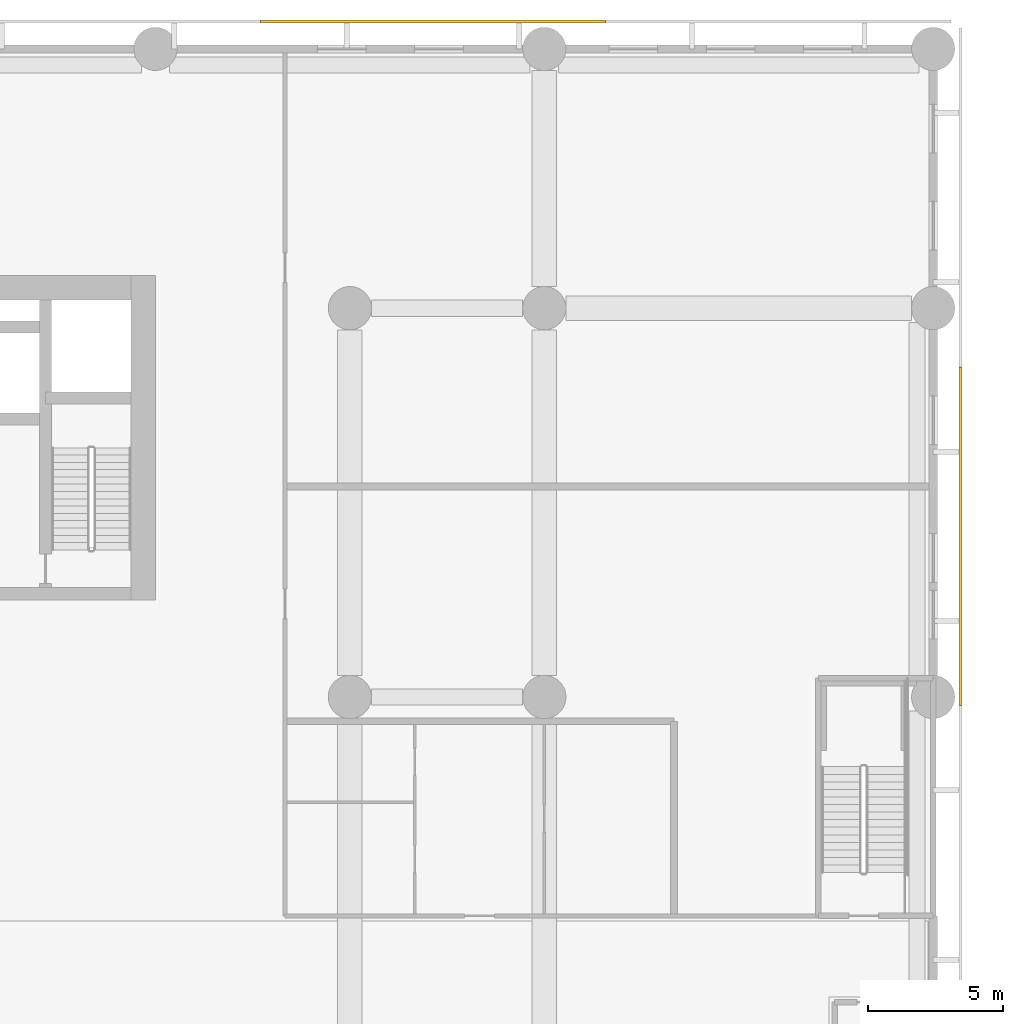
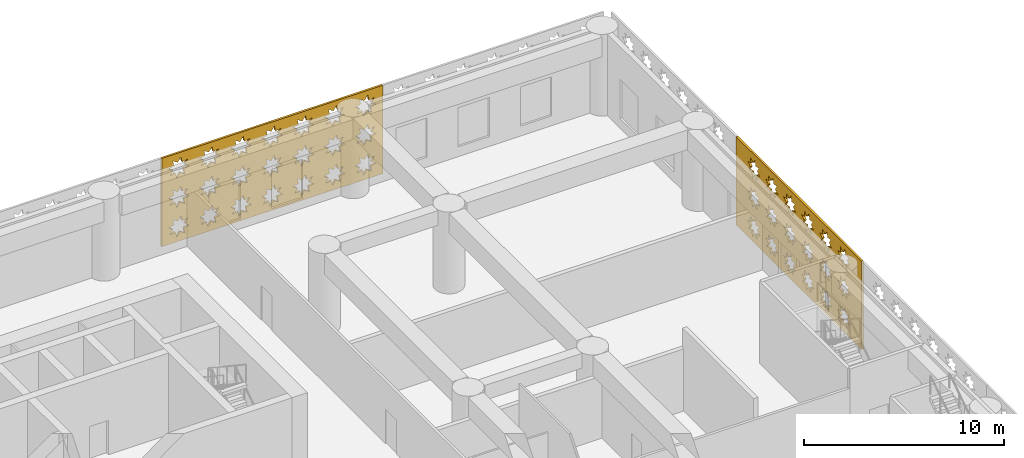
# One storey, part 29 of 30: 2 coverings.
"""IFC4 building model written with IfcOpenShell, lengths in metres."""

import ifcopenshell
import ifcopenshell.guid

model = None  # the IFC model being written
_history = None  # IfcOwnerHistory: only IFC2X3 demands one
_inside = {}  # id of a spatial element -> (the spatial element, [elements in it])
_under = {}  # id of a project, library or spatial element -> (it, [spatial elements below it])
_declared = {}  # id of a project -> (the project, [libraries it declares])
_typed = {}  # id of a type object -> (the type object, [elements of that type])
_made_of = {}  # id of a material, layer set ... -> (it, [elements and type objects made of it])


def new_model(schema):
    """Start an empty IFC model of exactly this schema.

    Asked for "IFC4X3", IfcOpenShell would pick the latest addendum, in which some entities
    have other attributes; the version numbers below select the first issue.
    IFC2X3 requires an IfcOwnerHistory on every rooted entity: one is made here for all.
    """
    global model, _history
    if schema == "IFC4X3":
        model = ifcopenshell.file(schema_version=(4, 3, 0, 0))
    else:
        model = ifcopenshell.file(schema=schema)
    _inside.clear()
    _under.clear()
    _declared.clear()
    _typed.clear()
    _made_of.clear()
    _history = None
    if model.schema == "IFC2X3":
        org = make("IfcOrganization", Name="unknown")
        user = make(
            "IfcPersonAndOrganization",
            ThePerson=make("IfcPerson", FamilyName="unknown"),
            TheOrganization=org,
        )
        app = make(
            "IfcApplication",
            ApplicationDeveloper=org,
            Version="unknown",
            ApplicationFullName="unknown",
            ApplicationIdentifier="unknown",
        )
        _history = make(
            "IfcOwnerHistory",
            OwningUser=user,
            OwningApplication=app,
            ChangeAction="ADDED",
            CreationDate=0,
        )
    return model


def make(cls, **values):
    """One entity of the class cls with the attributes given. An attribute that is None is left unset."""
    return model.create_entity(
        cls, **{name: value for name, value in values.items() if value is not None}
    )


def rooted(cls, **values):
    """An entity with a GlobalId (a new one), such as an element, a storey or a relation."""
    return make(cls, GlobalId=ifcopenshell.guid.new(), OwnerHistory=_history, **values)


def si_unit(unit_type, name, prefix=None):
    """IfcSIUnit, for example si_unit("LENGTHUNIT", "METRE", prefix="MILLI")."""
    return make("IfcSIUnit", UnitType=unit_type, Prefix=prefix, Name=name)


def assignment(units):
    """IfcUnitAssignment: the units of a project."""
    return None if units is None else make("IfcUnitAssignment", Units=units)


def point(xyz):
    """IfcCartesianPoint."""
    return None if xyz is None else make("IfcCartesianPoint", Coordinates=xyz)


def direction(xyz):
    """IfcDirection."""
    return None if xyz is None else make("IfcDirection", DirectionRatios=xyz)


def frame(location, z_axis=None, x_axis=None):
    """IfcAxis2Placement3D, a coordinate frame: its origin and axes. An axis left out is left unset."""
    return make(
        "IfcAxis2Placement3D",
        Location=point(location),
        Axis=direction(z_axis),
        RefDirection=direction(x_axis),
    )


def origin():
    """The frame at (0, 0, 0) with its axes left unset."""
    return frame((0.0, 0.0, 0.0))


def place(relative_to, where):
    """IfcLocalPlacement: puts the frame where relative to a parent placement (None: the world)."""
    return make(
        "IfcLocalPlacement", PlacementRelTo=relative_to, RelativePlacement=where
    )


def context(
    kind, dimensions, precision=None, world=None, true_north=None, identifier=None
):
    """IfcGeometricRepresentationContext, for example the 3D "Model" context."""
    return make(
        "IfcGeometricRepresentationContext",
        ContextIdentifier=identifier,
        ContextType=kind,
        CoordinateSpaceDimension=dimensions,
        Precision=precision,
        WorldCoordinateSystem=world,
        TrueNorth=true_north,
    )


def subcontext(parent, identifier, kind, view, scale=None):
    """IfcGeometricRepresentationSubContext, for example "Body" below "Model"."""
    return make(
        "IfcGeometricRepresentationSubContext",
        ContextIdentifier=identifier,
        ContextType=kind,
        ParentContext=parent,
        TargetScale=scale,
        TargetView=view,
    )


def project(units=None, contexts=None):
    """IfcProject with its units and contexts."""
    return rooted(
        "IfcProject",
        Name="project",
        RepresentationContexts=contexts,
        UnitsInContext=assignment(units),
    )


def spatial(cls, under=None, at=None, **own):
    """A site, building, storey or space (cls), placed at a placement, below another one or the project."""
    s = rooted(cls, ObjectPlacement=at, **own)
    if under is not None:
        _under.setdefault(under.id(), (under, []))[1].append(s)
    return s


def polyline(points):
    """IfcPolyline through the points."""
    return make("IfcPolyline", Points=[point(p) for p in points])


def outline(outer, holes=None, kind="AREA"):
    """IfcArbitraryClosedProfileDef: a profile drawn as a closed curve; with holes, ...WithVoids."""
    if holes is None:
        return make("IfcArbitraryClosedProfileDef", ProfileType=kind, OuterCurve=outer)
    return make(
        "IfcArbitraryProfileDefWithVoids",
        ProfileType=kind,
        OuterCurve=outer,
        InnerCurves=holes,
    )


def extrude(swept, where, along, depth):
    """IfcExtrudedAreaSolid: the profile swept, set in the frame where, extruded along a direction by depth."""
    return make(
        "IfcExtrudedAreaSolid",
        SweptArea=swept,
        Position=where,
        ExtrudedDirection=direction(along),
        Depth=depth,
    )


def shape(context_of_items, identifier, shape_type, items):
    """IfcShapeRepresentation: the items that make up one representation, for example the "Body"."""
    return make(
        "IfcShapeRepresentation",
        ContextOfItems=context_of_items,
        RepresentationIdentifier=identifier,
        RepresentationType=shape_type,
        Items=items,
    )


def material(Name=None, Category=None):
    """IfcMaterial."""
    return make("IfcMaterial", Name=Name, Category=Category)


def layer(
    of_material, thickness, ventilated=None, Name=None, Category=None, Priority=None
):
    """IfcMaterialLayer: one layer of a wall or slab, of a material (None: an air gap)."""
    return make(
        "IfcMaterialLayer",
        Material=of_material,
        LayerThickness=thickness,
        IsVentilated=ventilated,
        Name=Name,
        Category=Category,
        Priority=Priority,
    )


def layer_set(layers, Name=None):
    """IfcMaterialLayerSet."""
    return make("IfcMaterialLayerSet", MaterialLayers=layers, LayerSetName=Name)


def made_of(thing, what):
    """Note that an element or type object is made of a material, layer set ...; save() writes the relation."""
    if what is not None:
        _made_of.setdefault(what.id(), (what, []))[1].append(thing)
    return thing


def type_object(cls, material=None, **own):
    """A type object (cls), such as IfcWallType, which elements share."""
    return made_of(rooted(cls, **own), material)


def element(
    cls,
    number,
    at=None,
    inside=None,
    cuts=None,
    type_object=None,
    material=None,
    context=None,
    identifier="Body",
    shape_type=None,
    held_by="IfcProductDefinitionShape",
    body=None,
    shapes=None,
    **own,
):
    """One element of the class cls, such as IfcWall. Its Tag is "e" and its number.

    at: its placement. inside: the storey or other place that contains it. cuts: it is an
    opening in that element (IfcRelVoidsElement). A single representation is given by context,
    identifier, shape_type and body (its items); several are given by shapes. held_by: the class
    of the entity that holds the representations. save() writes the other relations.
    """
    e = rooted(cls, Tag="e%d" % number, ObjectPlacement=at, **own)
    if body is not None:
        shapes = [shape(context, identifier, shape_type, body)]
    if shapes is not None:
        e.Representation = make(held_by, Representations=shapes)
    if inside is not None:
        _inside.setdefault(inside.id(), (inside, []))[1].append(e)
    if cuts is not None:
        rooted(
            "IfcRelVoidsElement", RelatingBuildingElement=cuts, RelatedOpeningElement=e
        )
    if type_object is not None:
        _typed.setdefault(type_object.id(), (type_object, []))[1].append(e)
    return made_of(e, material)


def aggregate(whole, parts):
    """IfcRelAggregates: a whole, such as a stair, and the parts it consists of."""
    return rooted("IfcRelAggregates", RelatingObject=whole, RelatedObjects=parts)


def save(model, path):
    """Write the relations noted so far, then the file.

    IfcRelAggregates (storeys below a building ...), IfcRelContainedInSpatialStructure (elements
    in a storey), IfcRelDefinesByType, IfcRelAssociatesMaterial and IfcRelDeclares: one each for
    every whole, place, type object, material and project.
    """
    for whole, parts in _under.values():
        aggregate(whole, parts)
    for where, things in _inside.values():
        rooted(
            "IfcRelContainedInSpatialStructure",
            RelatedElements=things,
            RelatingStructure=where,
        )
    for kind, things in _typed.values():
        rooted("IfcRelDefinesByType", RelatedObjects=things, RelatingType=kind)
    for what, things in _made_of.values():
        rooted("IfcRelAssociatesMaterial", RelatedObjects=things, RelatingMaterial=what)
    for by, libraries in _declared.values():
        rooted("IfcRelDeclares", RelatingContext=by, RelatedDefinitions=libraries)
    model.write(path)


model = new_model("IFC4")

# Units and contexts
model_context = context("Model", 3, precision=1e-05, world=origin(), true_north=direction((0.0, 1.0)))
body_context = subcontext(model_context, "Body", "Model", "MODEL_VIEW")
ifc_project = project(units=[si_unit("LENGTHUNIT", "METRE"), si_unit("AREAUNIT", "SQUARE_METRE"), si_unit("VOLUMEUNIT", "CUBIC_METRE"), si_unit("PLANEANGLEUNIT", "RADIAN"), si_unit("MASSUNIT", "GRAM", prefix="KILO")], contexts=[model_context])

# Site, building, storey
site_placement = place(None, origin())
site = spatial("IfcSite", under=ifc_project, at=site_placement, CompositionType="ELEMENT")
building_placement = place(site_placement, origin())
building = spatial("IfcBuilding", under=site, at=building_placement, Name="Saffron Iwan Residences", CompositionType="ELEMENT")
storey_placement = place(building_placement, frame((0.0, 0.0, 7.800048828125)))
storey = spatial("IfcBuildingStorey", under=building, at=storey_placement, Name="L01", CompositionType="ELEMENT", Elevation=7.800048828125)

# Coverings
ifc_material = material(Name="Terracotta screen, precast concrete C40/50", Category="masonry")
ifc_layer = layer(ifc_material, 0.1201171875)
ifc_layer_set = layer_set([ifc_layer], Name="Terracotta screen, precast concrete C40/50")
covering_type = type_object("IfcCoveringType", Name="PODIUM SCREEN GIRIH", PredefinedType="CLADDING", material=ifc_layer_set)
covering_1_placement = place(storey_placement, frame((101.75, 62.07861328125, -0.400146484375), z_axis=(1.0, 0.0, 0.0), x_axis=(0.0, 1.0, 0.0)))
element("IfcCovering", 1, at=covering_1_placement, inside=storey, type_object=covering_type, Name="SCREEN girih terracotta L01 F1.5", PredefinedType="CLADDING", context=body_context, shape_type="SweptSolid", body=[
    extrude(outline(polyline([(0.0, 0.0), (12.545654296875, 0.0), (12.545654296875, 5.39990234375), (0.0, 5.39990234375), (0.0, 0.0)]), holes=[polyline([(2.380859375, 1.02099609375), (2.0556640625, 1.0888671875), (2.1171875, 1.41552734375), (1.839111328125, 1.2333984375), (1.65185546875, 1.508056640625), (1.583984375, 1.1826171875), (1.25732421875, 1.244384765625), (1.439453125, 0.96630859375), (1.164794921875, 0.779052734375), (1.490234375, 0.711181640625), (1.428466796875, 0.384521484375), (1.70654296875, 0.56640625), (1.893798828125, 0.2919921875), (1.9619140625, 0.6171875), (2.288330078125, 0.555419921875), (2.106201171875, 0.833740234375), (2.380859375, 1.02099609375)]), polyline([(2.380859375, 2.821044921875), (2.0556640625, 2.888916015625), (2.1171875, 3.215576171875), (1.839111328125, 3.033447265625), (1.65185546875, 3.30810546875), (1.583984375, 2.982666015625), (1.25732421875, 3.04443359375), (1.439453125, 2.766357421875), (1.164794921875, 2.5791015625), (1.490234375, 2.510986328125), (1.428466796875, 2.1845703125), (1.70654296875, 2.366455078125), (1.893798828125, 2.091796875), (1.9619140625, 2.417236328125), (2.288330078125, 2.35546875), (2.106201171875, 2.6337890625), (2.380859375, 2.821044921875)]), polyline([(2.380859375, 4.62109375), (2.0556640625, 4.68896484375), (2.1171875, 5.015380859375), (1.839111328125, 4.83349609375), (1.65185546875, 5.108154296875), (1.583984375, 4.78271484375), (1.25732421875, 4.844482421875), (1.439453125, 4.56640625), (1.164794921875, 4.37890625), (1.490234375, 4.31103515625), (1.428466796875, 3.984619140625), (1.70654296875, 4.16650390625), (1.893798828125, 3.891845703125), (1.9619140625, 4.21728515625), (2.288330078125, 4.155517578125), (2.106201171875, 4.43359375), (2.380859375, 4.62109375)]), polyline([(4.180908203125, 1.02099609375), (3.855712890625, 1.0888671875), (3.917236328125, 1.41552734375), (3.63916015625, 1.2333984375), (3.451904296875, 1.508056640625), (3.384033203125, 1.1826171875), (3.057373046875, 1.244384765625), (3.239501953125, 0.96630859375), (2.96484375, 0.779052734375), (3.290283203125, 0.711181640625), (3.228515625, 0.384521484375), (3.506591796875, 0.56640625), (3.69384765625, 0.2919921875), (3.76171875, 0.6171875), (4.08837890625, 0.555419921875), (3.90625, 0.833740234375), (4.180908203125, 1.02099609375)]), polyline([(4.180908203125, 2.821044921875), (3.855712890625, 2.888916015625), (3.917236328125, 3.215576171875), (3.63916015625, 3.033447265625), (3.451904296875, 3.30810546875), (3.384033203125, 2.982666015625), (3.057373046875, 3.04443359375), (3.239501953125, 2.766357421875), (2.96484375, 2.5791015625), (3.290283203125, 2.510986328125), (3.228515625, 2.1845703125), (3.506591796875, 2.366455078125), (3.69384765625, 2.091796875), (3.76171875, 2.417236328125), (4.08837890625, 2.35546875), (3.90625, 2.6337890625), (4.180908203125, 2.821044921875)]), polyline([(4.180908203125, 4.62109375), (3.855712890625, 4.68896484375), (3.917236328125, 5.015380859375), (3.63916015625, 4.83349609375), (3.451904296875, 5.108154296875), (3.384033203125, 4.78271484375), (3.057373046875, 4.844482421875), (3.239501953125, 4.56640625), (2.96484375, 4.37890625), (3.290283203125, 4.31103515625), (3.228515625, 3.984619140625), (3.506591796875, 4.16650390625), (3.69384765625, 3.891845703125), (3.76171875, 4.21728515625), (4.08837890625, 4.155517578125), (3.90625, 4.43359375), (4.180908203125, 4.62109375)]), polyline([(5.98095703125, 1.02099609375), (5.655517578125, 1.0888671875), (5.71728515625, 1.41552734375), (5.439208984375, 1.2333984375), (5.251953125, 1.508056640625), (5.18408203125, 1.1826171875), (4.857421875, 1.244384765625), (5.039306640625, 0.96630859375), (4.764892578125, 0.779052734375), (5.090087890625, 0.711181640625), (5.0283203125, 0.384521484375), (5.306396484375, 0.56640625), (5.493896484375, 0.2919921875), (5.561767578125, 0.6171875), (5.888427734375, 0.555419921875), (5.706298828125, 0.833740234375), (5.98095703125, 1.02099609375)]), polyline([(5.98095703125, 2.821044921875), (5.655517578125, 2.888916015625), (5.71728515625, 3.215576171875), (5.439208984375, 3.033447265625), (5.251953125, 3.30810546875), (5.18408203125, 2.982666015625), (4.857421875, 3.04443359375), (5.039306640625, 2.766357421875), (4.764892578125, 2.5791015625), (5.090087890625, 2.510986328125), (5.0283203125, 2.1845703125), (5.306396484375, 2.366455078125), (5.493896484375, 2.091796875), (5.561767578125, 2.417236328125), (5.888427734375, 2.35546875), (5.706298828125, 2.6337890625), (5.98095703125, 2.821044921875)]), polyline([(5.98095703125, 4.62109375), (5.655517578125, 4.68896484375), (5.71728515625, 5.015380859375), (5.439208984375, 4.83349609375), (5.251953125, 5.108154296875), (5.18408203125, 4.78271484375), (4.857421875, 4.844482421875), (5.039306640625, 4.56640625), (4.764892578125, 4.37890625), (5.090087890625, 4.31103515625), (5.0283203125, 3.984619140625), (5.306396484375, 4.16650390625), (5.493896484375, 3.891845703125), (5.561767578125, 4.21728515625), (5.888427734375, 4.155517578125), (5.706298828125, 4.43359375), (5.98095703125, 4.62109375)]), polyline([(7.781005859375, 1.02099609375), (7.45556640625, 1.0888671875), (7.517333984375, 1.41552734375), (7.2392578125, 1.2333984375), (7.052001953125, 1.508056640625), (6.98388671875, 1.1826171875), (6.6572265625, 1.244384765625), (6.83935546875, 0.96630859375), (6.564697265625, 0.779052734375), (6.89013671875, 0.711181640625), (6.828369140625, 0.384521484375), (7.1064453125, 0.56640625), (7.293701171875, 0.2919921875), (7.36181640625, 0.6171875), (7.6884765625, 0.555419921875), (7.50634765625, 0.833740234375), (7.781005859375, 1.02099609375)]), polyline([(7.781005859375, 2.821044921875), (7.45556640625, 2.888916015625), (7.517333984375, 3.215576171875), (7.2392578125, 3.033447265625), (7.052001953125, 3.30810546875), (6.98388671875, 2.982666015625), (6.6572265625, 3.04443359375), (6.83935546875, 2.766357421875), (6.564697265625, 2.5791015625), (6.89013671875, 2.510986328125), (6.828369140625, 2.1845703125), (7.1064453125, 2.366455078125), (7.293701171875, 2.091796875), (7.36181640625, 2.417236328125), (7.6884765625, 2.35546875), (7.50634765625, 2.6337890625), (7.781005859375, 2.821044921875)]), polyline([(7.781005859375, 4.62109375), (7.45556640625, 4.68896484375), (7.517333984375, 5.015380859375), (7.2392578125, 4.83349609375), (7.052001953125, 5.108154296875), (6.98388671875, 4.78271484375), (6.6572265625, 4.844482421875), (6.83935546875, 4.56640625), (6.564697265625, 4.37890625), (6.89013671875, 4.31103515625), (6.828369140625, 3.984619140625), (7.1064453125, 4.16650390625), (7.293701171875, 3.891845703125), (7.36181640625, 4.21728515625), (7.6884765625, 4.155517578125), (7.50634765625, 4.43359375), (7.781005859375, 4.62109375)]), polyline([(9.580810546875, 1.02099609375), (9.255615234375, 1.0888671875), (9.3173828125, 1.41552734375), (9.039306640625, 1.2333984375), (8.851806640625, 1.508056640625), (8.783935546875, 1.1826171875), (8.457275390625, 1.244384765625), (8.639404296875, 0.96630859375), (8.36474609375, 0.779052734375), (8.690185546875, 0.711181640625), (8.62841796875, 0.384521484375), (8.906494140625, 0.56640625), (9.09375, 0.2919921875), (9.161865234375, 0.6171875), (9.48828125, 0.555419921875), (9.306396484375, 0.833740234375), (9.580810546875, 1.02099609375)]), polyline([(9.580810546875, 2.821044921875), (9.255615234375, 2.888916015625), (9.3173828125, 3.215576171875), (9.039306640625, 3.033447265625), (8.851806640625, 3.30810546875), (8.783935546875, 2.982666015625), (8.457275390625, 3.04443359375), (8.639404296875, 2.766357421875), (8.36474609375, 2.5791015625), (8.690185546875, 2.510986328125), (8.62841796875, 2.1845703125), (8.906494140625, 2.366455078125), (9.09375, 2.091796875), (9.161865234375, 2.417236328125), (9.48828125, 2.35546875), (9.306396484375, 2.6337890625), (9.580810546875, 2.821044921875)]), polyline([(9.580810546875, 4.62109375), (9.255615234375, 4.68896484375), (9.3173828125, 5.015380859375), (9.039306640625, 4.83349609375), (8.851806640625, 5.108154296875), (8.783935546875, 4.78271484375), (8.457275390625, 4.844482421875), (8.639404296875, 4.56640625), (8.36474609375, 4.37890625), (8.690185546875, 4.31103515625), (8.62841796875, 3.984619140625), (8.906494140625, 4.16650390625), (9.09375, 3.891845703125), (9.161865234375, 4.21728515625), (9.48828125, 4.155517578125), (9.306396484375, 4.43359375), (9.580810546875, 4.62109375)]), polyline([(11.380859375, 1.02099609375), (11.0556640625, 1.0888671875), (11.1171875, 1.41552734375), (10.839111328125, 1.2333984375), (10.65185546875, 1.508056640625), (10.583984375, 1.1826171875), (10.25732421875, 1.244384765625), (10.439453125, 0.96630859375), (10.164794921875, 0.779052734375), (10.490234375, 0.711181640625), (10.428466796875, 0.384521484375), (10.70654296875, 0.56640625), (10.893798828125, 0.2919921875), (10.9619140625, 0.6171875), (11.288330078125, 0.555419921875), (11.106201171875, 0.833740234375), (11.380859375, 1.02099609375)]), polyline([(11.380859375, 2.821044921875), (11.0556640625, 2.888916015625), (11.1171875, 3.215576171875), (10.839111328125, 3.033447265625), (10.65185546875, 3.30810546875), (10.583984375, 2.982666015625), (10.25732421875, 3.04443359375), (10.439453125, 2.766357421875), (10.164794921875, 2.5791015625), (10.490234375, 2.510986328125), (10.428466796875, 2.1845703125), (10.70654296875, 2.366455078125), (10.893798828125, 2.091796875), (10.9619140625, 2.417236328125), (11.288330078125, 2.35546875), (11.106201171875, 2.6337890625), (11.380859375, 2.821044921875)]), polyline([(11.380859375, 4.62109375), (11.0556640625, 4.68896484375), (11.1171875, 5.015380859375), (10.839111328125, 4.83349609375), (10.65185546875, 5.108154296875), (10.583984375, 4.78271484375), (10.25732421875, 4.844482421875), (10.439453125, 4.56640625), (10.164794921875, 4.37890625), (10.490234375, 4.31103515625), (10.428466796875, 3.984619140625), (10.70654296875, 4.16650390625), (10.893798828125, 3.891845703125), (10.9619140625, 4.21728515625), (11.288330078125, 4.155517578125), (11.106201171875, 4.43359375), (11.380859375, 4.62109375)])]), origin(), (0.0, 0.0, 1.0), 0.1201171875),
])
covering_2_placement = place(storey_placement, frame((88.672607421875, 87.35009765625, -0.400146484375), z_axis=(0.0, 1.0, 0.0), x_axis=(-1.0, 0.0, 0.0)))
element("IfcCovering", 2, at=covering_2_placement, inside=storey, type_object=covering_type, Name="SCREEN girih terracotta L01 F2.1", PredefinedType="CLADDING", context=body_context, shape_type="SweptSolid", body=[
    extrude(outline(polyline([(0.0, 0.0), (12.777587890625, 0.0), (12.777587890625, 5.39990234375), (0.0, 5.39990234375), (0.0, 0.0)]), holes=[polyline([(1.5966796875, 1.02099609375), (1.271484375, 1.0888671875), (1.333251953125, 1.41552734375), (1.05517578125, 1.2333984375), (0.867919921875, 1.508056640625), (0.7998046875, 1.1826171875), (0.47314453125, 1.244384765625), (0.6552734375, 0.96630859375), (0.380615234375, 0.779052734375), (0.7060546875, 0.711181640625), (0.644287109375, 0.384521484375), (0.92236328125, 0.56640625), (1.109619140625, 0.2919921875), (1.177490234375, 0.6171875), (1.50439453125, 0.555419921875), (1.322265625, 0.833740234375), (1.5966796875, 1.02099609375)]), polyline([(1.5966796875, 2.821044921875), (1.271484375, 2.888916015625), (1.333251953125, 3.215576171875), (1.05517578125, 3.033447265625), (0.867919921875, 3.30810546875), (0.7998046875, 2.982666015625), (0.47314453125, 3.04443359375), (0.6552734375, 2.766357421875), (0.380615234375, 2.5791015625), (0.7060546875, 2.510986328125), (0.644287109375, 2.1845703125), (0.92236328125, 2.366455078125), (1.109619140625, 2.091796875), (1.177490234375, 2.417236328125), (1.50439453125, 2.35546875), (1.322265625, 2.6337890625), (1.5966796875, 2.821044921875)]), polyline([(1.5966796875, 4.62109375), (1.271484375, 4.68896484375), (1.333251953125, 5.015380859375), (1.05517578125, 4.83349609375), (0.867919921875, 5.108154296875), (0.7998046875, 4.78271484375), (0.47314453125, 4.844482421875), (0.6552734375, 4.56640625), (0.380615234375, 4.37890625), (0.7060546875, 4.31103515625), (0.644287109375, 3.984619140625), (0.92236328125, 4.16650390625), (1.109619140625, 3.891845703125), (1.177490234375, 4.21728515625), (1.50439453125, 4.155517578125), (1.322265625, 4.43359375), (1.5966796875, 4.62109375)]), polyline([(3.396728515625, 1.02099609375), (3.0712890625, 1.0888671875), (3.13330078125, 1.41552734375), (2.85498046875, 1.2333984375), (2.667724609375, 1.508056640625), (2.599853515625, 1.1826171875), (2.273193359375, 1.244384765625), (2.455322265625, 0.96630859375), (2.1806640625, 0.779052734375), (2.506103515625, 0.711181640625), (2.4443359375, 0.384521484375), (2.722412109375, 0.56640625), (2.90966796875, 0.2919921875), (2.9775390625, 0.6171875), (3.30419921875, 0.555419921875), (3.122314453125, 0.833740234375), (3.396728515625, 1.02099609375)]), polyline([(3.396728515625, 2.821044921875), (3.0712890625, 2.888916015625), (3.13330078125, 3.215576171875), (2.85498046875, 3.033447265625), (2.667724609375, 3.30810546875), (2.599853515625, 2.982666015625), (2.273193359375, 3.04443359375), (2.455322265625, 2.766357421875), (2.1806640625, 2.5791015625), (2.506103515625, 2.510986328125), (2.4443359375, 2.1845703125), (2.722412109375, 2.366455078125), (2.90966796875, 2.091796875), (2.9775390625, 2.417236328125), (3.30419921875, 2.35546875), (3.122314453125, 2.6337890625), (3.396728515625, 2.821044921875)]), polyline([(3.396728515625, 4.62109375), (3.0712890625, 4.68896484375), (3.13330078125, 5.015380859375), (2.85498046875, 4.83349609375), (2.667724609375, 5.108154296875), (2.599853515625, 4.78271484375), (2.273193359375, 4.844482421875), (2.455322265625, 4.56640625), (2.1806640625, 4.37890625), (2.506103515625, 4.31103515625), (2.4443359375, 3.984619140625), (2.722412109375, 4.16650390625), (2.90966796875, 3.891845703125), (2.9775390625, 4.21728515625), (3.30419921875, 4.155517578125), (3.122314453125, 4.43359375), (3.396728515625, 4.62109375)]), polyline([(5.19677734375, 1.02099609375), (4.871337890625, 1.0888671875), (4.93310546875, 1.41552734375), (4.655029296875, 1.2333984375), (4.4677734375, 1.508056640625), (4.39990234375, 1.1826171875), (4.0732421875, 1.244384765625), (4.25537109375, 0.96630859375), (3.980712890625, 0.779052734375), (4.30615234375, 0.711181640625), (4.244384765625, 0.384521484375), (4.5224609375, 0.56640625), (4.709716796875, 0.2919921875), (4.777587890625, 0.6171875), (5.104248046875, 0.555419921875), (4.922119140625, 0.833740234375), (5.19677734375, 1.02099609375)]), polyline([(5.19677734375, 2.821044921875), (4.871337890625, 2.888916015625), (4.93310546875, 3.215576171875), (4.655029296875, 3.033447265625), (4.4677734375, 3.30810546875), (4.39990234375, 2.982666015625), (4.0732421875, 3.04443359375), (4.25537109375, 2.766357421875), (3.980712890625, 2.5791015625), (4.30615234375, 2.510986328125), (4.244384765625, 2.1845703125), (4.5224609375, 2.366455078125), (4.709716796875, 2.091796875), (4.777587890625, 2.417236328125), (5.104248046875, 2.35546875), (4.922119140625, 2.6337890625), (5.19677734375, 2.821044921875)]), polyline([(5.19677734375, 4.62109375), (4.871337890625, 4.68896484375), (4.93310546875, 5.015380859375), (4.655029296875, 4.83349609375), (4.4677734375, 5.108154296875), (4.39990234375, 4.78271484375), (4.0732421875, 4.844482421875), (4.25537109375, 4.56640625), (3.980712890625, 4.37890625), (4.30615234375, 4.31103515625), (4.244384765625, 3.984619140625), (4.5224609375, 4.16650390625), (4.709716796875, 3.891845703125), (4.777587890625, 4.21728515625), (5.104248046875, 4.155517578125), (4.922119140625, 4.43359375), (5.19677734375, 4.62109375)]), polyline([(6.996826171875, 1.02099609375), (6.67138671875, 1.0888671875), (6.733154296875, 1.41552734375), (6.455078125, 1.2333984375), (6.267822265625, 1.508056640625), (6.199951171875, 1.1826171875), (5.873291015625, 1.244384765625), (6.055419921875, 0.96630859375), (5.78076171875, 0.779052734375), (6.106201171875, 0.711181640625), (6.044189453125, 0.384521484375), (6.322509765625, 0.56640625), (6.509765625, 0.2919921875), (6.57763671875, 0.6171875), (6.904296875, 0.555419921875), (6.72216796875, 0.833740234375), (6.996826171875, 1.02099609375)]), polyline([(6.996826171875, 2.821044921875), (6.67138671875, 2.888916015625), (6.733154296875, 3.215576171875), (6.455078125, 3.033447265625), (6.267822265625, 3.30810546875), (6.199951171875, 2.982666015625), (5.873291015625, 3.04443359375), (6.055419921875, 2.766357421875), (5.78076171875, 2.5791015625), (6.106201171875, 2.510986328125), (6.044189453125, 2.1845703125), (6.322509765625, 2.366455078125), (6.509765625, 2.091796875), (6.57763671875, 2.417236328125), (6.904296875, 2.35546875), (6.72216796875, 2.6337890625), (6.996826171875, 2.821044921875)]), polyline([(6.996826171875, 4.62109375), (6.67138671875, 4.68896484375), (6.733154296875, 5.015380859375), (6.455078125, 4.83349609375), (6.267822265625, 5.108154296875), (6.199951171875, 4.78271484375), (5.873291015625, 4.844482421875), (6.055419921875, 4.56640625), (5.78076171875, 4.37890625), (6.106201171875, 4.31103515625), (6.044189453125, 3.984619140625), (6.322509765625, 4.16650390625), (6.509765625, 3.891845703125), (6.57763671875, 4.21728515625), (6.904296875, 4.155517578125), (6.72216796875, 4.43359375), (6.996826171875, 4.62109375)]), polyline([(8.796875, 1.02099609375), (8.471435546875, 1.0888671875), (8.533203125, 1.41552734375), (8.255126953125, 1.2333984375), (8.06787109375, 1.508056640625), (8.0, 1.1826171875), (7.673095703125, 1.244384765625), (7.855224609375, 0.96630859375), (7.580810546875, 0.779052734375), (7.906005859375, 0.711181640625), (7.84423828125, 0.384521484375), (8.122314453125, 0.56640625), (8.309814453125, 0.2919921875), (8.377685546875, 0.6171875), (8.704345703125, 0.555419921875), (8.522216796875, 0.833740234375), (8.796875, 1.02099609375)]), polyline([(8.796875, 2.821044921875), (8.471435546875, 2.888916015625), (8.533203125, 3.215576171875), (8.255126953125, 3.033447265625), (8.06787109375, 3.30810546875), (8.0, 2.982666015625), (7.673095703125, 3.04443359375), (7.855224609375, 2.766357421875), (7.580810546875, 2.5791015625), (7.906005859375, 2.510986328125), (7.84423828125, 2.1845703125), (8.122314453125, 2.366455078125), (8.309814453125, 2.091796875), (8.377685546875, 2.417236328125), (8.704345703125, 2.35546875), (8.522216796875, 2.6337890625), (8.796875, 2.821044921875)]), polyline([(8.796875, 4.62109375), (8.471435546875, 4.68896484375), (8.533203125, 5.015380859375), (8.255126953125, 4.83349609375), (8.06787109375, 5.108154296875), (8.0, 4.78271484375), (7.673095703125, 4.844482421875), (7.855224609375, 4.56640625), (7.580810546875, 4.37890625), (7.906005859375, 4.31103515625), (7.84423828125, 3.984619140625), (8.122314453125, 4.16650390625), (8.309814453125, 3.891845703125), (8.377685546875, 4.21728515625), (8.704345703125, 4.155517578125), (8.522216796875, 4.43359375), (8.796875, 4.62109375)]), polyline([(10.5966796875, 1.02099609375), (10.271484375, 1.0888671875), (10.333251953125, 1.41552734375), (10.05517578125, 1.2333984375), (9.867919921875, 1.508056640625), (9.7998046875, 1.1826171875), (9.47314453125, 1.244384765625), (9.6552734375, 0.96630859375), (9.380615234375, 0.779052734375), (9.7060546875, 0.711181640625), (9.644287109375, 0.384521484375), (9.92236328125, 0.56640625), (10.109619140625, 0.2919921875), (10.177490234375, 0.6171875), (10.50439453125, 0.555419921875), (10.322265625, 0.833740234375), (10.5966796875, 1.02099609375)]), polyline([(10.5966796875, 2.821044921875), (10.271484375, 2.888916015625), (10.333251953125, 3.215576171875), (10.05517578125, 3.033447265625), (9.867919921875, 3.30810546875), (9.7998046875, 2.982666015625), (9.47314453125, 3.04443359375), (9.6552734375, 2.766357421875), (9.380615234375, 2.5791015625), (9.7060546875, 2.510986328125), (9.644287109375, 2.1845703125), (9.92236328125, 2.366455078125), (10.109619140625, 2.091796875), (10.177490234375, 2.417236328125), (10.50439453125, 2.35546875), (10.322265625, 2.6337890625), (10.5966796875, 2.821044921875)]), polyline([(10.5966796875, 4.62109375), (10.271484375, 4.68896484375), (10.333251953125, 5.015380859375), (10.05517578125, 4.83349609375), (9.867919921875, 5.108154296875), (9.7998046875, 4.78271484375), (9.47314453125, 4.844482421875), (9.6552734375, 4.56640625), (9.380615234375, 4.37890625), (9.7060546875, 4.31103515625), (9.644287109375, 3.984619140625), (9.92236328125, 4.16650390625), (10.109619140625, 3.891845703125), (10.177490234375, 4.21728515625), (10.50439453125, 4.155517578125), (10.322265625, 4.43359375), (10.5966796875, 4.62109375)]), polyline([(12.396728515625, 1.02099609375), (12.0712890625, 1.0888671875), (12.13330078125, 1.41552734375), (11.85498046875, 1.2333984375), (11.667724609375, 1.508056640625), (11.599853515625, 1.1826171875), (11.273193359375, 1.244384765625), (11.455322265625, 0.96630859375), (11.1806640625, 0.779052734375), (11.506103515625, 0.711181640625), (11.4443359375, 0.384521484375), (11.722412109375, 0.56640625), (11.90966796875, 0.2919921875), (11.9775390625, 0.6171875), (12.30419921875, 0.555419921875), (12.122314453125, 0.833740234375), (12.396728515625, 1.02099609375)]), polyline([(12.396728515625, 2.821044921875), (12.0712890625, 2.888916015625), (12.13330078125, 3.215576171875), (11.85498046875, 3.033447265625), (11.667724609375, 3.30810546875), (11.599853515625, 2.982666015625), (11.273193359375, 3.04443359375), (11.455322265625, 2.766357421875), (11.1806640625, 2.5791015625), (11.506103515625, 2.510986328125), (11.4443359375, 2.1845703125), (11.722412109375, 2.366455078125), (11.90966796875, 2.091796875), (11.9775390625, 2.417236328125), (12.30419921875, 2.35546875), (12.122314453125, 2.6337890625), (12.396728515625, 2.821044921875)]), polyline([(12.396728515625, 4.62109375), (12.0712890625, 4.68896484375), (12.13330078125, 5.015380859375), (11.85498046875, 4.83349609375), (11.667724609375, 5.108154296875), (11.599853515625, 4.78271484375), (11.273193359375, 4.844482421875), (11.455322265625, 4.56640625), (11.1806640625, 4.37890625), (11.506103515625, 4.31103515625), (11.4443359375, 3.984619140625), (11.722412109375, 4.16650390625), (11.90966796875, 3.891845703125), (11.9775390625, 4.21728515625), (12.30419921875, 4.155517578125), (12.122314453125, 4.43359375), (12.396728515625, 4.62109375)])]), origin(), (0.0, 0.0, 1.0), 0.119873046875),
])

save(model, "model.ifc")
